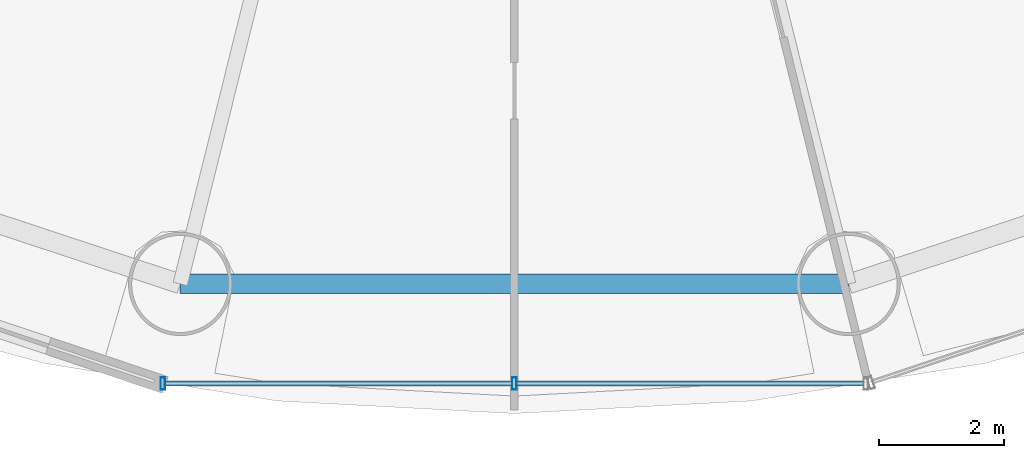
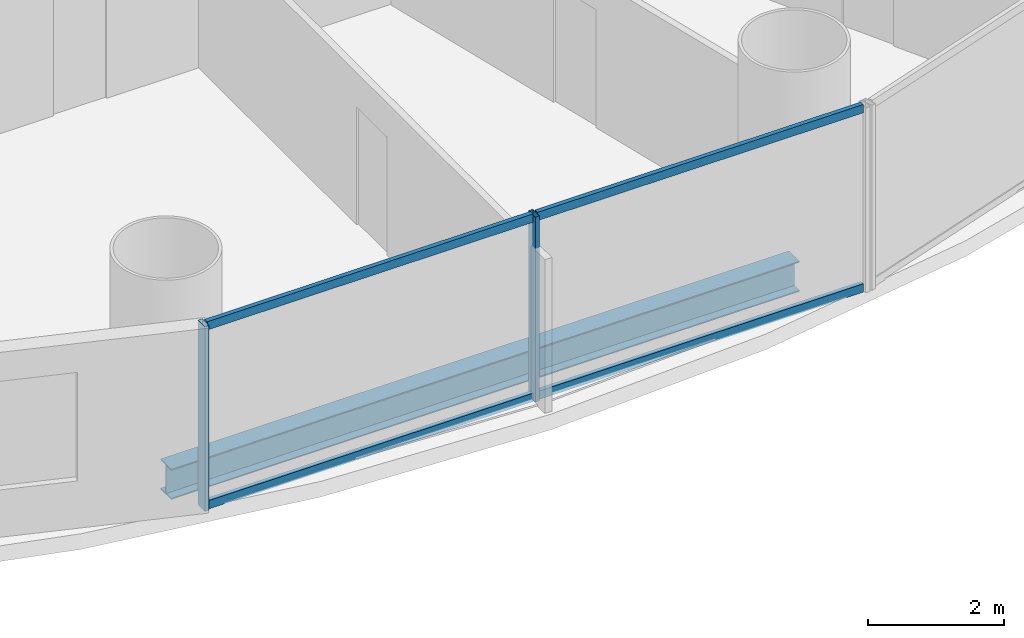
# One storey, part 4 of 29: 6 members, 1 beam, 1 element without a shape of its own.
"""IFC4 building model written with IfcOpenShell, lengths in metres."""

import ifcopenshell
import ifcopenshell.guid

model = None  # the IFC model being written
_history = None  # IfcOwnerHistory: only IFC2X3 demands one
_inside = {}  # id of a spatial element -> (the spatial element, [elements in it])
_under = {}  # id of a project, library or spatial element -> (it, [spatial elements below it])
_declared = {}  # id of a project -> (the project, [libraries it declares])
_typed = {}  # id of a type object -> (the type object, [elements of that type])
_made_of = {}  # id of a material, layer set ... -> (it, [elements and type objects made of it])


def new_model(schema):
    """Start an empty IFC model of exactly this schema.

    Asked for "IFC4X3", IfcOpenShell would pick the latest addendum, in which some entities
    have other attributes; the version numbers below select the first issue.
    IFC2X3 requires an IfcOwnerHistory on every rooted entity: one is made here for all.
    """
    global model, _history
    if schema == "IFC4X3":
        model = ifcopenshell.file(schema_version=(4, 3, 0, 0))
    else:
        model = ifcopenshell.file(schema=schema)
    _inside.clear()
    _under.clear()
    _declared.clear()
    _typed.clear()
    _made_of.clear()
    _history = None
    if model.schema == "IFC2X3":
        org = make("IfcOrganization", Name="unknown")
        user = make(
            "IfcPersonAndOrganization",
            ThePerson=make("IfcPerson", FamilyName="unknown"),
            TheOrganization=org,
        )
        app = make(
            "IfcApplication",
            ApplicationDeveloper=org,
            Version="unknown",
            ApplicationFullName="unknown",
            ApplicationIdentifier="unknown",
        )
        _history = make(
            "IfcOwnerHistory",
            OwningUser=user,
            OwningApplication=app,
            ChangeAction="ADDED",
            CreationDate=0,
        )
    return model


def make(cls, **values):
    """One entity of the class cls with the attributes given. An attribute that is None is left unset."""
    return model.create_entity(
        cls, **{name: value for name, value in values.items() if value is not None}
    )


def rooted(cls, **values):
    """An entity with a GlobalId (a new one), such as an element, a storey or a relation."""
    return make(cls, GlobalId=ifcopenshell.guid.new(), OwnerHistory=_history, **values)


def si_unit(unit_type, name, prefix=None):
    """IfcSIUnit, for example si_unit("LENGTHUNIT", "METRE", prefix="MILLI")."""
    return make("IfcSIUnit", UnitType=unit_type, Prefix=prefix, Name=name)


def assignment(units):
    """IfcUnitAssignment: the units of a project."""
    return None if units is None else make("IfcUnitAssignment", Units=units)


def point(xyz):
    """IfcCartesianPoint."""
    return None if xyz is None else make("IfcCartesianPoint", Coordinates=xyz)


def direction(xyz):
    """IfcDirection."""
    return None if xyz is None else make("IfcDirection", DirectionRatios=xyz)


def frame(location, z_axis=None, x_axis=None):
    """IfcAxis2Placement3D, a coordinate frame: its origin and axes. An axis left out is left unset."""
    return make(
        "IfcAxis2Placement3D",
        Location=point(location),
        Axis=direction(z_axis),
        RefDirection=direction(x_axis),
    )


def frame_2d(location, x_axis=None):
    """IfcAxis2Placement2D, a coordinate frame in the plane: its origin and x axis."""
    return make(
        "IfcAxis2Placement2D", Location=point(location), RefDirection=direction(x_axis)
    )


def origin():
    """The frame at (0, 0, 0) with its axes left unset."""
    return frame((0.0, 0.0, 0.0))


def origin_2d():
    """The frame at (0, 0) in the plane with its x axis left unset."""
    return frame_2d((0.0, 0.0))


def place(relative_to, where):
    """IfcLocalPlacement: puts the frame where relative to a parent placement (None: the world)."""
    return make(
        "IfcLocalPlacement", PlacementRelTo=relative_to, RelativePlacement=where
    )


def context(
    kind, dimensions, precision=None, world=None, true_north=None, identifier=None
):
    """IfcGeometricRepresentationContext, for example the 3D "Model" context."""
    return make(
        "IfcGeometricRepresentationContext",
        ContextIdentifier=identifier,
        ContextType=kind,
        CoordinateSpaceDimension=dimensions,
        Precision=precision,
        WorldCoordinateSystem=world,
        TrueNorth=true_north,
    )


def subcontext(parent, identifier, kind, view, scale=None):
    """IfcGeometricRepresentationSubContext, for example "Body" below "Model"."""
    return make(
        "IfcGeometricRepresentationSubContext",
        ContextIdentifier=identifier,
        ContextType=kind,
        ParentContext=parent,
        TargetScale=scale,
        TargetView=view,
    )


def project(units=None, contexts=None):
    """IfcProject with its units and contexts."""
    return rooted(
        "IfcProject",
        Name="project",
        RepresentationContexts=contexts,
        UnitsInContext=assignment(units),
    )


def spatial(cls, under=None, at=None, **own):
    """A site, building, storey or space (cls), placed at a placement, below another one or the project."""
    s = rooted(cls, ObjectPlacement=at, **own)
    if under is not None:
        _under.setdefault(under.id(), (under, []))[1].append(s)
    return s


def profile(cls, at=None, kind="AREA", **sizes):
    """A parametric profile (cls). Its sizes go by their IFC names, for example OverallWidth=200.0."""
    return make(cls, ProfileType=kind, Position=at, **sizes)


def hollow_rectangle(**sizes):
    """IfcRectangleHollowProfileDef."""
    return profile("IfcRectangleHollowProfileDef", **sizes)


def i_section(**sizes):
    """IfcIShapeProfileDef."""
    return profile("IfcIShapeProfileDef", **sizes)


def extrude(swept, where, along, depth):
    """IfcExtrudedAreaSolid: the profile swept, set in the frame where, extruded along a direction by depth."""
    return make(
        "IfcExtrudedAreaSolid",
        SweptArea=swept,
        Position=where,
        ExtrudedDirection=direction(along),
        Depth=depth,
    )


def shape(context_of_items, identifier, shape_type, items):
    """IfcShapeRepresentation: the items that make up one representation, for example the "Body"."""
    return make(
        "IfcShapeRepresentation",
        ContextOfItems=context_of_items,
        RepresentationIdentifier=identifier,
        RepresentationType=shape_type,
        Items=items,
    )


def source(mapping_origin, context_of_items, identifier, shape_type, items):
    """IfcRepresentationMap: a shape defined once, which mapped items show again and again."""
    return make(
        "IfcRepresentationMap",
        MappingOrigin=mapping_origin,
        MappedRepresentation=shape(context_of_items, identifier, shape_type, items),
    )


def transform(
    local_origin,
    x_axis=None,
    y_axis=None,
    z_axis=None,
    scale=None,
    scale2=None,
    scale3=None,
    uniform=True,
):
    """IfcCartesianTransformationOperator3D, or its non-uniform kind. x_axis, y_axis, z_axis: its Axis1, 2, 3."""
    if uniform:
        return make(
            "IfcCartesianTransformationOperator3D",
            Axis1=direction(x_axis),
            Axis2=direction(y_axis),
            LocalOrigin=point(local_origin),
            Scale=scale,
            Axis3=direction(z_axis),
        )
    return make(
        "IfcCartesianTransformationOperator3DnonUniform",
        Axis1=direction(x_axis),
        Axis2=direction(y_axis),
        LocalOrigin=point(local_origin),
        Scale=scale,
        Axis3=direction(z_axis),
        Scale2=scale2,
        Scale3=scale3,
    )


def mapped(mapping_source, mapping_target):
    """IfcMappedItem: shows the shape of a source again, moved by a transform."""
    return make(
        "IfcMappedItem", MappingSource=mapping_source, MappingTarget=mapping_target
    )


def material(Name=None, Category=None):
    """IfcMaterial."""
    return make("IfcMaterial", Name=Name, Category=Category)


def material_profile(
    of_material, cross_section, Name=None, Category=None, Priority=None
):
    """IfcMaterialProfile: a cross section and its material."""
    return make(
        "IfcMaterialProfile",
        Name=Name,
        Material=of_material,
        Profile=cross_section,
        Priority=Priority,
        Category=Category,
    )


def profile_set(profiles, Name=None, composite=None):
    """IfcMaterialProfileSet."""
    return make(
        "IfcMaterialProfileSet",
        Name=Name,
        MaterialProfiles=profiles,
        CompositeProfile=composite,
    )


def made_of(thing, what):
    """Note that an element or type object is made of a material, layer set ...; save() writes the relation."""
    if what is not None:
        _made_of.setdefault(what.id(), (what, []))[1].append(thing)
    return thing


def type_object(cls, material=None, **own):
    """A type object (cls), such as IfcWallType, which elements share."""
    return made_of(rooted(cls, **own), material)


def element(
    cls,
    number,
    at=None,
    inside=None,
    cuts=None,
    type_object=None,
    material=None,
    context=None,
    identifier="Body",
    shape_type=None,
    held_by="IfcProductDefinitionShape",
    body=None,
    shapes=None,
    **own,
):
    """One element of the class cls, such as IfcWall. Its Tag is "e" and its number.

    at: its placement. inside: the storey or other place that contains it. cuts: it is an
    opening in that element (IfcRelVoidsElement). A single representation is given by context,
    identifier, shape_type and body (its items); several are given by shapes. held_by: the class
    of the entity that holds the representations. save() writes the other relations.
    """
    e = rooted(cls, Tag="e%d" % number, ObjectPlacement=at, **own)
    if body is not None:
        shapes = [shape(context, identifier, shape_type, body)]
    if shapes is not None:
        e.Representation = make(held_by, Representations=shapes)
    if inside is not None:
        _inside.setdefault(inside.id(), (inside, []))[1].append(e)
    if cuts is not None:
        rooted(
            "IfcRelVoidsElement", RelatingBuildingElement=cuts, RelatedOpeningElement=e
        )
    if type_object is not None:
        _typed.setdefault(type_object.id(), (type_object, []))[1].append(e)
    return made_of(e, material)


def aggregate(whole, parts):
    """IfcRelAggregates: a whole, such as a stair, and the parts it consists of."""
    return rooted("IfcRelAggregates", RelatingObject=whole, RelatedObjects=parts)


def save(model, path):
    """Write the relations noted so far, then the file.

    IfcRelAggregates (storeys below a building ...), IfcRelContainedInSpatialStructure (elements
    in a storey), IfcRelDefinesByType, IfcRelAssociatesMaterial and IfcRelDeclares: one each for
    every whole, place, type object, material and project.
    """
    for whole, parts in _under.values():
        aggregate(whole, parts)
    for where, things in _inside.values():
        rooted(
            "IfcRelContainedInSpatialStructure",
            RelatedElements=things,
            RelatingStructure=where,
        )
    for kind, things in _typed.values():
        rooted("IfcRelDefinesByType", RelatedObjects=things, RelatingType=kind)
    for what, things in _made_of.values():
        rooted("IfcRelAssociatesMaterial", RelatedObjects=things, RelatingMaterial=what)
    for by, libraries in _declared.values():
        rooted("IfcRelDeclares", RelatingContext=by, RelatedDefinitions=libraries)
    model.write(path)


model = new_model("IFC4")

# Units and contexts
model_context = context("Model", 3, precision=1e-05, world=origin(), true_north=direction((-0.2419218956, 0.970295726276)))
body_context = subcontext(model_context, "Body", "Model", "MODEL_VIEW")
ifc_project = project(units=[si_unit("LENGTHUNIT", "METRE"), si_unit("AREAUNIT", "SQUARE_METRE"), si_unit("VOLUMEUNIT", "CUBIC_METRE"), si_unit("PLANEANGLEUNIT", "RADIAN"), si_unit("MASSUNIT", "GRAM", prefix="KILO")], contexts=[model_context])

# Site, building, storey
site_placement = place(None, origin())
site = spatial("IfcSite", under=ifc_project, at=site_placement, CompositionType="ELEMENT")
building_placement = place(site_placement, origin())
building = spatial("IfcBuilding", under=site, at=building_placement, Name="Cobrevalo Terracotta Tower", CompositionType="ELEMENT")
storey_placement = place(building_placement, frame((0.0, 0.0, 45.60009765625)))
storey = spatial("IfcBuildingStorey", under=building, at=storey_placement, Name="L11", CompositionType="ELEMENT", Elevation=45.60009765625)

# Beam
ifc_material_1 = material(Name="Steel S355", Category="steel")
ifc_material_profile_1 = material_profile(ifc_material_1, i_section(OverallWidth=0.31201171875, OverallDepth=0.54296875, WebThickness=0.0126953125, FlangeThickness=0.020263671875, at=origin_2d()), Name="W 530x150")
ifc_profile_set_1 = profile_set([ifc_material_profile_1], Name="Steel S355")
beam_type = type_object("IfcBeamType", Name="Structural Spandrel W 530x150 (Steel S355)", PredefinedType="SPANDREL", material=ifc_profile_set_1)
beam_placement = place(storey_placement, frame((32.664306640625, 5.369873046875, -0.551513671875), z_axis=(1.0, 0.0, 0.0), x_axis=(0.0, 1.0, 0.0)))
element("IfcBeam", 1, at=beam_placement, inside=storey, type_object=beam_type, Name="L11 perimeter ring spandrel 12", PredefinedType="SPANDREL", context=body_context, shape_type="SweptSolid", body=[
    extrude(i_section(OverallWidth=0.31201171875, OverallDepth=0.54296875, WebThickness=0.0126953125, FlangeThickness=0.020263671875, at=origin_2d()), origin(), (0.0, 0.0, 1.0), 10.67138671875),
])

# Curtain wall, members
ifc_material_2 = material(Name="Anodized aluminium", Category="aluminium")
curtain_wall_type = type_object("IfcCurtainWallType", Name="Lower-tower unitised acoustic low-E curtain wall CW-U1", PredefinedType="NOTDEFINED", material=ifc_material_2)
curtain_wall_placement = place(storey_placement, origin())
curtain_wall = element("IfcCurtainWall", 2, at=curtain_wall_placement, inside=storey, type_object=curtain_wall_type, Name="L11 curtain wall CW-L11-S12", PredefinedType="NOTDEFINED")
ifc_material_profile_2 = material_profile(ifc_material_2, hollow_rectangle(XDim=0.074951171875, YDim=0.14990234375, WallThickness=0.00439453125, at=origin_2d()), Name="CWT 75x150")
ifc_profile_set_2 = profile_set([ifc_material_profile_2], Name="Anodized aluminium")
member_type_1 = type_object("IfcMemberType", Name="Tower unitised aluminium transom 75x150", PredefinedType="USERDEFINED", material=ifc_profile_set_2)
shared_shape_1 = source(origin(), body_context, "Body", "SweptSolid", [
    extrude(hollow_rectangle(XDim=0.074951171875, YDim=0.14990234375, WallThickness=0.00439453125, at=origin_2d()), origin(), (0.0, 0.0, 1.0), 5.53173828125),
])
member_1_placement = place(storey_placement, frame((32.42822265625, 3.781005859375, 0.0498046875), z_axis=(1.0, 0.0, 0.0), x_axis=(0.0, 1.0, 0.0)))
member_1 = element("IfcMember", 3, at=member_1_placement, type_object=member_type_1, Name="CW-L11-S12 transom B01-T1", ObjectType="TRANSOM", PredefinedType="USERDEFINED", context=body_context, shape_type="MappedRepresentation", body=[
    mapped(shared_shape_1, transform((0.0, 0.0, 0.0), scale=1.0)),
])
member_2_placement = place(storey_placement, frame((32.42822265625, 3.781005859375, 3.27001953125), z_axis=(1.0, 0.0, 0.0), x_axis=(0.0, 1.0, 0.0)))
member_2 = element("IfcMember", 4, at=member_2_placement, type_object=member_type_1, Name="CW-L11-S12 transom B01-T2", ObjectType="TRANSOM", PredefinedType="USERDEFINED", context=body_context, shape_type="MappedRepresentation", body=[
    mapped(shared_shape_1, transform((0.0, 0.0, 0.0), scale=1.0)),
])
member_3_placement = place(storey_placement, frame((38.0400390625, 3.781005859375, 0.0498046875), z_axis=(1.0, 0.0, 0.0), x_axis=(0.0, 1.0, 0.0)))
member_3 = element("IfcMember", 5, at=member_3_placement, type_object=member_type_1, Name="CW-L11-S12 transom B02-T1", ObjectType="TRANSOM", PredefinedType="USERDEFINED", context=body_context, shape_type="MappedRepresentation", body=[
    mapped(shared_shape_1, transform((0.0, 0.0, 0.0), scale=1.0)),
])
member_4_placement = place(storey_placement, frame((38.0400390625, 3.781005859375, 3.27001953125), z_axis=(1.0, 0.0, 0.0), x_axis=(0.0, 1.0, 0.0)))
member_4 = element("IfcMember", 6, at=member_4_placement, type_object=member_type_1, Name="CW-L11-S12 transom B02-T2", ObjectType="TRANSOM", PredefinedType="USERDEFINED", context=body_context, shape_type="MappedRepresentation", body=[
    mapped(shared_shape_1, transform((0.0, 0.0, 0.0), scale=1.0)),
])
ifc_material_profile_3 = material_profile(ifc_material_2, hollow_rectangle(XDim=0.074951171875, YDim=0.199951171875, WallThickness=0.0048828125, at=origin_2d()), Name="CWM 75x200")
ifc_profile_set_3 = profile_set([ifc_material_profile_3], Name="Anodized aluminium")
member_type_2 = type_object("IfcMemberType", Name="Lower/mid tower unitised mullion 75x200", PredefinedType="MULLION", material=ifc_profile_set_3)
shared_shape_2 = source(origin(), body_context, "Body", "SweptSolid", [
    extrude(hollow_rectangle(XDim=0.074951171875, YDim=0.199951171875, WallThickness=0.0048828125, at=origin_2d()), origin(), (0.0, 0.0, 1.0), 3.31982421875),
])
member_5_placement = place(storey_placement, frame((32.38818359375, 3.781005859375, 0.0), z_axis=(0.0, 0.0, 1.0), x_axis=(1.0, 0.0, 0.0)))
member_5 = element("IfcMember", 7, at=member_5_placement, type_object=member_type_2, Name="CW-L11-S12 vertical mullion 01", PredefinedType="MULLION", context=body_context, shape_type="MappedRepresentation", body=[
    mapped(shared_shape_2, transform((0.0, 0.0, 0.0), scale=1.0)),
])
member_6_placement = place(storey_placement, frame((38.0, 3.781005859375, 0.0), z_axis=(0.0, 0.0, 1.0), x_axis=(1.0, 0.0, 0.0)))
member_6 = element("IfcMember", 8, at=member_6_placement, type_object=member_type_2, Name="CW-L11-S12 vertical mullion 02", PredefinedType="MULLION", context=body_context, shape_type="MappedRepresentation", body=[
    mapped(shared_shape_2, transform((0.0, 0.0, 0.0), scale=1.0)),
])
aggregate(curtain_wall, [member_5, member_6, member_1, member_2, member_3, member_4])

save(model, "model.ifc")
